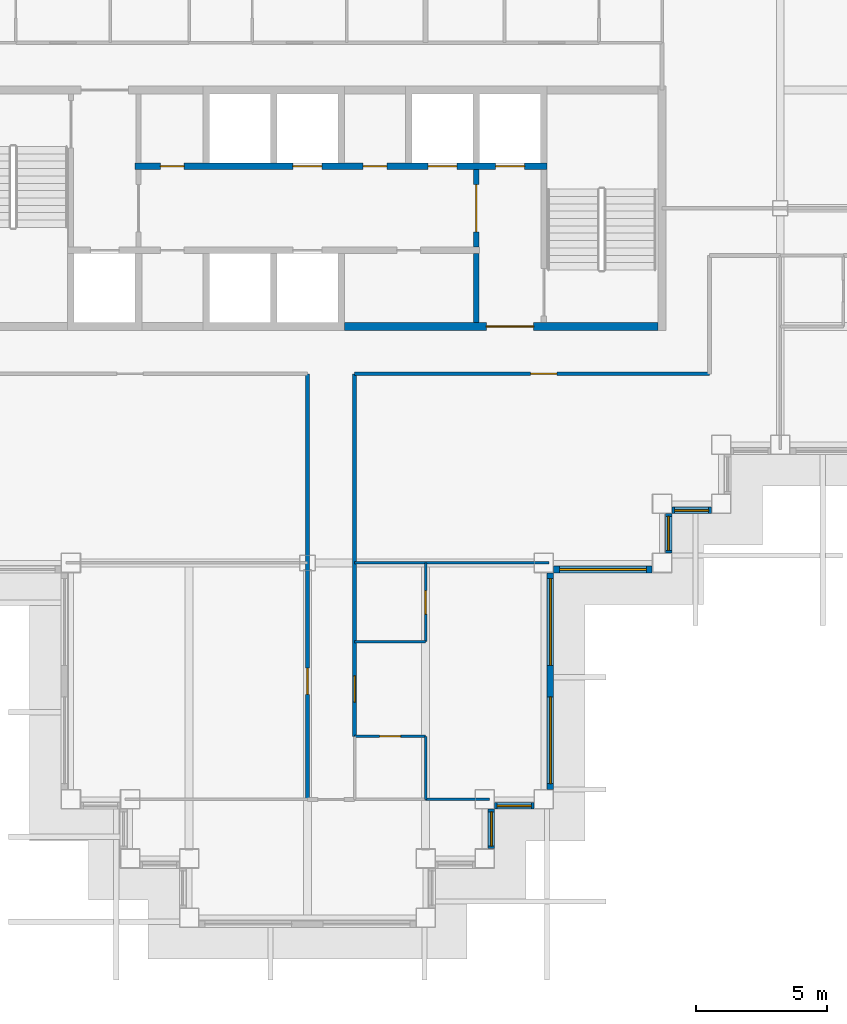
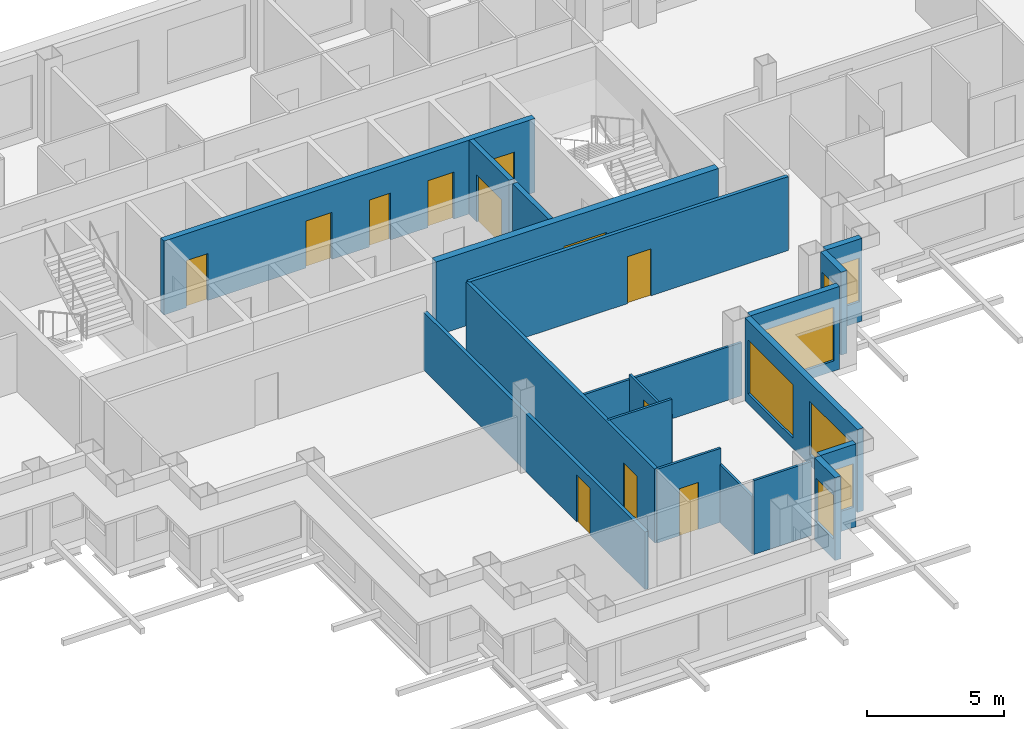
# One storey, part 5 of 14: 19 walls, 12 doors, 7 windows, 19 openings.
"""IFC4 building model written with IfcOpenShell, lengths in metres."""

from ifc_helpers import new_model, si_unit, direction, frame, frame_2d, origin, place, context, subcontext, project, spatial, rectangle, extrude, material, layer, layer_set, type_object, element, fill, save


model = new_model("IFC4")

# Units and contexts
model_context = context("Model", 3, precision=1e-05, world=origin(), true_north=direction((0.0, 1.0)))
body_context = subcontext(model_context, "Body", "Model", "MODEL_VIEW")
ifc_project = project(units=[si_unit("LENGTHUNIT", "METRE"), si_unit("AREAUNIT", "SQUARE_METRE"), si_unit("VOLUMEUNIT", "CUBIC_METRE"), si_unit("PLANEANGLEUNIT", "RADIAN"), si_unit("MASSUNIT", "GRAM", prefix="KILO")], contexts=[model_context])

# Site, building, storey
site_placement = place(None, origin())
site = spatial("IfcSite", under=ifc_project, at=site_placement, CompositionType="ELEMENT")
building_placement = place(site_placement, origin())
building = spatial("IfcBuilding", under=site, at=building_placement, Name="Caravel Reach Hotel and Residences", CompositionType="ELEMENT")
storey_placement = place(building_placement, frame((0.0, 0.0, 183.89990234375)))
storey = spatial("IfcBuildingStorey", under=building, at=storey_placement, Name="L46", CompositionType="ELEMENT", Elevation=183.89990234375)

# Wall, opening, door
ifc_material_1 = material(Name="Gypsum board on steel stud", Category="steel")
ifc_layer_1 = layer(ifc_material_1, 0.10009765625)
ifc_layer_set_1 = layer_set([ifc_layer_1], Name="Bathroom pod wall 100 mm")
wall_type_1 = type_object("IfcWallType", Name="Bathroom pod wall 100 mm", PredefinedType="PARTITIONING", material=ifc_layer_set_1)
wall_1_placement = place(storey_placement, frame((33.300048828125, 6.89990234375, 0.0), z_axis=(0.0, 0.0, 1.0), x_axis=(1.0, 0.0, 0.0)))
wall_1 = element("IfcWall", 1, at=wall_1_placement, inside=storey, type_object=wall_type_1, Name="L46 wall w084", PredefinedType="PARTITIONING", context=body_context, shape_type="SweptSolid", body=[
    extrude(rectangle(XDim=2.699951171875, YDim=0.10009765625, at=frame_2d((1.35009765625, 0.0))), origin(), (0.0, 0.0, 1.0), 3.300048828125),
])
opening_1_placement = place(wall_1_placement, frame((0.949951171875, 0.0, 0.0)))
opening_1 = element("IfcOpeningElement", 2, at=opening_1_placement, cuts=wall_1, Name="Opening D46-039", PredefinedType="OPENING", context=body_context, shape_type="SweptSolid", body=[
    extrude(rectangle(XDim=0.800048828125, YDim=2.10009765625, at=frame_2d((0.39990234375, 1.050048828125))), frame((0.0, 0.06005859375, 0.0), z_axis=(0.0, -1.0, 0.0), x_axis=(1.0, 0.0, 0.0)), (0.0, 0.0, 1.0), 0.1201171875),
])
ifc_material_2 = material(Name="Timber and steel door leaf", Category="steel")
door_type_1 = type_object("IfcDoorType", Name="Bathroom door 800 x 2100", OperationType="SINGLE_SWING_LEFT", PredefinedType="DOOR", material=ifc_material_2)
door_1_placement = place(opening_1_placement, origin())
door_1 = element("IfcDoor", 3, at=door_1_placement, inside=storey, type_object=door_type_1, Name="door D46-039", OperationType="SINGLE_SWING_RIGHT", OverallHeight=2.10009765625, OverallWidth=0.800048828125, PredefinedType="DOOR", context=body_context, shape_type="SweptSolid", body=[
    extrude(rectangle(XDim=0.800048828125, YDim=2.10009765625, at=frame_2d((0.39990234375, 1.050048828125))), frame((0.0, 0.02490234375, 0.0), z_axis=(0.0, -1.0, 0.0), x_axis=(1.0, 0.0, 0.0)), (0.0, 0.0, 1.0), 0.050048828125),
])
fill(opening_1, door_1)

# Walls
wall_2_placement = place(storey_placement, frame((36.0, 4.5, 0.0), z_axis=(0.0, 0.0, 1.0), x_axis=(0.0, 1.0, 0.0)))
element("IfcWall", 4, at=wall_2_placement, inside=storey, type_object=wall_type_1, Name="L46 wall w091", PredefinedType="PARTITIONING", context=body_context, shape_type="SweptSolid", body=[
    extrude(rectangle(XDim=2.39990234375, YDim=0.10009765625, at=frame_2d((1.199951171875, 0.0))), origin(), (0.0, 0.0, 1.0), 2.580078125),
])
ifc_material_3 = material(Name="Autoclaved aerated block wall")
ifc_layer_2 = layer(ifc_material_3, 0.199951171875)
ifc_layer_set_2 = layer_set([ifc_layer_2], Name="Compartment wall 200 mm EI 120")
wall_type_2 = type_object("IfcWallType", Name="Compartment wall 200 mm EI 120", PredefinedType="PARTITIONING", material=ifc_layer_set_2)
wall_3_placement = place(storey_placement, frame((37.928466796875, 22.64990234375, 0.0), z_axis=(0.0, 0.0, 1.0), x_axis=(0.0, 1.0, 0.0)))
element("IfcWall", 5, at=wall_3_placement, inside=storey, type_object=wall_type_2, Name="L46 store partition", PredefinedType="PARTITIONING", context=body_context, shape_type="SweptSolid", body=[
    extrude(rectangle(XDim=2.625, YDim=0.199951171875, at=frame_2d((1.3125, 0.0))), origin(), (0.0, 0.0, 1.0), 3.300048828125),
])

# Wall, opening, door
ifc_material_4 = material(Name="Concrete C60", Category="concrete")
ifc_layer_3 = layer(ifc_material_4, 0.300048828125)
ifc_layer_set_3 = layer_set([ifc_layer_3], Name="Core wall 300 mm EI 120")
wall_type_3 = type_object("IfcWallType", Name="Core wall 300 mm EI 120", PredefinedType="SHEAR", material=ifc_layer_set_3)
wall_4_placement = place(storey_placement, frame((32.91064453125, 22.5, 0.0), z_axis=(0.0, 0.0, 1.0), x_axis=(1.0, 0.0, 0.0)))
wall_4 = element("IfcWall", 6, at=wall_4_placement, inside=storey, type_object=wall_type_3, Name="L46 core wall S3", PredefinedType="SHEAR", context=body_context, shape_type="SweptSolid", body=[
    extrude(rectangle(XDim=11.939453125, YDim=0.300048828125, at=frame_2d((5.9697265625, 0.0))), origin(), (0.0, 0.0, 1.0), 3.300048828125),
])
opening_2_placement = place(wall_4_placement, frame((5.403564453125, 0.0, 0.0)))
opening_2 = element("IfcOpeningElement", 7, at=opening_2_placement, cuts=wall_4, Name="Opening D46-015", PredefinedType="OPENING", context=body_context, shape_type="SweptSolid", body=[
    extrude(rectangle(XDim=1.800048828125, YDim=2.10009765625, at=frame_2d((0.89990234375, 1.050048828125))), frame((0.0, 0.159912109375, 0.0), z_axis=(0.0, -1.0, 0.0), x_axis=(1.0, 0.0, 0.0)), (0.0, 0.0, 1.0), 0.320068359375),
])
ifc_material_5 = material(Name="Steel fire door leaf", Category="steel")
door_type_2 = type_object("IfcDoorType", Name="Fire lobby door pair 1800 x 2100 EI 90", OperationType="DOUBLE_DOOR_SINGLE_SWING", PredefinedType="DOOR", material=ifc_material_5)
door_2_placement = place(opening_2_placement, origin())
door_2 = element("IfcDoor", 8, at=door_2_placement, inside=storey, type_object=door_type_2, Name="lobby S door pair to corridor", OperationType="DOUBLE_DOOR_SINGLE_SWING", OverallHeight=2.10009765625, OverallWidth=1.800048828125, PredefinedType="DOOR", context=body_context, shape_type="SweptSolid", body=[
    extrude(rectangle(XDim=1.800048828125, YDim=2.10009765625, at=frame_2d((0.89990234375, 1.050048828125))), frame((0.0, 0.02490234375, 0.0), z_axis=(0.0, -1.0, 0.0), x_axis=(1.0, 0.0, 0.0)), (0.0, 0.0, 1.0), 0.050048828125),
])
fill(opening_2, door_2)

ifc_material_6 = material(Name="Gypsum board on steel stud, fire-rated", Category="steel")
ifc_layer_4 = layer(ifc_material_6, 0.14990234375)
ifc_layer_set_4 = layer_set([ifc_layer_4], Name="Corridor wall 150 mm EI 60")
wall_type_4 = type_object("IfcWallType", Name="Corridor wall 150 mm EI 60", PredefinedType="PARTITIONING", material=ifc_layer_set_4)
wall_5_placement = place(storey_placement, frame((33.301025390625, 20.699951171875, 0.0), z_axis=(0.0, 0.0, 1.0), x_axis=(1.0, 0.0, 0.0)))
wall_5 = element("IfcWall", 9, at=wall_5_placement, inside=storey, type_object=wall_type_4, Name="L46 wall w001", PredefinedType="PARTITIONING", context=body_context, shape_type="SweptSolid", body=[
    extrude(rectangle(XDim=13.4990234375, YDim=0.14990234375, at=frame_2d((6.74951171875, 0.0))), origin(), (0.0, 0.0, 1.0), 3.300048828125),
])
opening_3_placement = place(wall_5_placement, frame((6.697998046875, 0.0, 0.0)))
opening_3 = element("IfcOpeningElement", 10, at=opening_3_placement, cuts=wall_5, Name="Opening D46-036", PredefinedType="OPENING", context=body_context, shape_type="SweptSolid", body=[
    extrude(rectangle(XDim=1.0, YDim=2.10009765625, at=frame_2d((0.5, 1.050048828125))), frame((0.0, 0.0849609375, 0.0), z_axis=(0.0, -1.0, 0.0), x_axis=(1.0, 0.0, 0.0)), (0.0, 0.0, 1.0), 0.169921875),
])
ifc_material_7 = material(Name="Steel fire door leaf", Category="steel")
door_type_3 = type_object("IfcDoorType", Name="Fire door 1000 x 2100 EI 60", OperationType="SINGLE_SWING_LEFT", PredefinedType="DOOR", material=ifc_material_7)
door_3_placement = place(opening_3_placement, origin())
door_3 = element("IfcDoor", 11, at=door_3_placement, inside=storey, type_object=door_type_3, Name="door D46-036", OperationType="SINGLE_SWING_LEFT", OverallHeight=2.10009765625, OverallWidth=1.0, PredefinedType="DOOR", context=body_context, shape_type="SweptSolid", body=[
    extrude(rectangle(XDim=1.0, YDim=2.10009765625, at=frame_2d((0.5, 1.050048828125))), frame((0.0, 0.02490234375, 0.0), z_axis=(0.0, -1.0, 0.0), x_axis=(1.0, 0.0, 0.0)), (0.0, 0.0, 1.0), 0.050048828125),
])
fill(opening_3, door_3)

wall_6_placement = place(storey_placement, frame((31.5, 4.5, 0.0), z_axis=(0.0, 0.0, 1.0), x_axis=(0.0, 1.0, 0.0)))
wall_6 = element("IfcWall", 12, at=wall_6_placement, inside=storey, type_object=wall_type_4, Name="L46 wall w023", PredefinedType="PARTITIONING", context=body_context, shape_type="SweptSolid", body=[
    extrude(rectangle(XDim=16.199951171875, YDim=0.14990234375, at=frame_2d((8.10009765625, 0.0))), origin(), (0.0, 0.0, 1.0), 2.580078125),
])
opening_4_placement = place(wall_6_placement, frame((4.0, 0.0, 0.0)))
opening_4 = element("IfcOpeningElement", 13, at=opening_4_placement, cuts=wall_6, Name="Opening D46-037", PredefinedType="OPENING", context=body_context, shape_type="SweptSolid", body=[
    extrude(rectangle(XDim=1.0, YDim=2.10009765625, at=frame_2d((0.5, 1.050048828125))), frame((0.0, 0.0849609375, 0.0), z_axis=(0.0, -1.0, 0.0), x_axis=(1.0, 0.0, 0.0)), (0.0, 0.0, 1.0), 0.169921875),
])
door_4_placement = place(opening_4_placement, origin())
door_4 = element("IfcDoor", 14, at=door_4_placement, inside=storey, type_object=door_type_3, Name="door D46-037", OperationType="SINGLE_SWING_RIGHT", OverallHeight=2.10009765625, OverallWidth=1.0, PredefinedType="DOOR", context=body_context, shape_type="SweptSolid", body=[
    extrude(rectangle(XDim=1.0, YDim=2.10009765625, at=frame_2d((0.5, 1.050048828125))), frame((0.0, 0.02490234375, 0.0), z_axis=(0.0, -1.0, 0.0), x_axis=(1.0, 0.0, 0.0)), (0.0, 0.0, 1.0), 0.050048828125),
])
fill(opening_4, door_4)

wall_7_placement = place(storey_placement, frame((33.300048828125, 6.89990234375, 0.0), z_axis=(0.0, 0.0, 1.0), x_axis=(0.0, 1.0, 0.0)))
wall_7 = element("IfcWall", 15, at=wall_7_placement, inside=storey, type_object=wall_type_4, Name="L46 wall w025", PredefinedType="PARTITIONING", context=body_context, shape_type="SweptSolid", body=[
    extrude(rectangle(XDim=13.799072265625, YDim=0.14990234375, at=frame_2d((6.8994140625, 0.0))), origin(), (0.0, 0.0, 1.0), 3.300048828125),
])
opening_5_placement = place(wall_7_placement, frame((1.300048828125, 0.0, 0.0)))
opening_5 = element("IfcOpeningElement", 16, at=opening_5_placement, cuts=wall_7, Name="Opening D46-038", PredefinedType="OPENING", context=body_context, shape_type="SweptSolid", body=[
    extrude(rectangle(XDim=1.0, YDim=2.199951171875, at=frame_2d((0.5, 1.10009765625))), frame((0.0, 0.0849609375, 0.0), z_axis=(0.0, -1.0, 0.0), x_axis=(1.0, 0.0, 0.0)), (0.0, 0.0, 1.0), 0.169921875),
])
ifc_material_8 = material(Name="Steel fire door leaf", Category="steel")
door_type_4 = type_object("IfcDoorType", Name="Flat entrance door 1000 x 2200 EI 60", OperationType="SINGLE_SWING_LEFT", PredefinedType="DOOR", material=ifc_material_8)
door_5_placement = place(opening_5_placement, origin())
door_5 = element("IfcDoor", 17, at=door_5_placement, inside=storey, type_object=door_type_4, Name="door D46-038", OperationType="SINGLE_SWING_LEFT", OverallHeight=2.199951171875, OverallWidth=1.0, PredefinedType="DOOR", context=body_context, shape_type="SweptSolid", body=[
    extrude(rectangle(XDim=1.0, YDim=2.199951171875, at=frame_2d((0.5, 1.10009765625))), frame((0.0, 0.02490234375, 0.0), z_axis=(0.0, -1.0, 0.0), x_axis=(1.0, 0.0, 0.0)), (0.0, 0.0, 1.0), 0.050048828125),
])
fill(opening_5, door_5)

# Wall, opening, window
ifc_material_9 = material(Name="Insulated rainscreen wall, aluminium cladding", Category="aluminium")
ifc_layer_5 = layer(ifc_material_9, 0.25)
ifc_layer_set_5 = layer_set([ifc_layer_5], Name="EW1 Tower rainscreen wall")
wall_type_5 = type_object("IfcWallType", Name="EW1 Tower rainscreen wall", PredefinedType="SOLIDWALL", material=ifc_layer_set_5)
wall_8_placement = place(storey_placement, frame((38.5, 2.625, 0.0), z_axis=(0.0, 0.0, 1.0), x_axis=(0.0, 1.0, 0.0)))
wall_8 = element("IfcWall", 18, at=wall_8_placement, inside=storey, type_object=wall_type_5, Name="External wall L46 E8.1", PredefinedType="SOLIDWALL", context=body_context, shape_type="SweptSolid", body=[
    extrude(rectangle(XDim=1.5, YDim=0.25, at=frame_2d((0.75, 0.0))), origin(), (0.0, 0.0, 1.0), 3.7001953125),
])
opening_6_placement = place(wall_8_placement, frame((0.10009765625, 0.0, 0.89990234375)))
opening_6 = element("IfcOpeningElement", 19, at=opening_6_placement, cuts=wall_8, Name="Opening WN17", PredefinedType="OPENING", context=body_context, shape_type="SweptSolid", body=[
    extrude(rectangle(XDim=1.300048828125, YDim=1.949951171875, at=frame_2d((0.64990234375, 0.97509765625))), frame((0.0, 0.135009765625, 0.0), z_axis=(0.0, -1.0, 0.0), x_axis=(1.0, 0.0, 0.0)), (0.0, 0.0, 1.0), 0.27001953125),
])
ifc_material_10 = material(Name="Dark low-e glazing in black aluminium frame", Category="aluminium")
window_type_1 = type_object("IfcWindowType", Name="Residence bedroom window 1300 x 1950", PartitioningType="SINGLE_PANEL", PredefinedType="WINDOW", material=ifc_material_10)
window_1_placement = place(opening_6_placement, origin())
window_1 = element("IfcWindow", 20, at=window_1_placement, inside=storey, type_object=window_type_1, Name="Window L46 E8.1.1", OverallHeight=1.949951171875, OverallWidth=1.300048828125, PartitioningType="SINGLE_PANEL", PredefinedType="WINDOW", context=body_context, shape_type="SweptSolid", body=[
    extrude(rectangle(XDim=1.300048828125, YDim=1.949951171875, at=frame_2d((0.64990234375, 0.97509765625))), frame((0.0, 0.030029296875, 0.0), z_axis=(0.0, -1.0, 0.0), x_axis=(1.0, 0.0, 0.0)), (0.0, 0.0, 1.0), 0.06005859375),
])
fill(opening_6, window_1)

wall_9_placement = place(storey_placement, frame((38.625, 4.25, 0.0), z_axis=(0.0, 0.0, 1.0), x_axis=(1.0, 0.0, 0.0)))
wall_9 = element("IfcWall", 21, at=wall_9_placement, inside=storey, type_object=wall_type_5, Name="External wall L46 S9.1", PredefinedType="SOLIDWALL", context=body_context, shape_type="SweptSolid", body=[
    extrude(rectangle(XDim=1.5, YDim=0.25, at=frame_2d((0.75, 0.0))), origin(), (0.0, 0.0, 1.0), 3.7001953125),
])
opening_7_placement = place(wall_9_placement, frame((0.10009765625, 0.0, 0.89990234375)))
opening_7 = element("IfcOpeningElement", 22, at=opening_7_placement, cuts=wall_9, Name="Opening WN17", PredefinedType="OPENING", context=body_context, shape_type="SweptSolid", body=[
    extrude(rectangle(XDim=1.300048828125, YDim=1.949951171875, at=frame_2d((0.64990234375, 0.97509765625))), frame((0.0, 0.135009765625, 0.0), z_axis=(0.0, -1.0, 0.0), x_axis=(1.0, 0.0, 0.0)), (0.0, 0.0, 1.0), 0.27001953125),
])
window_2_placement = place(opening_7_placement, origin())
window_2 = element("IfcWindow", 23, at=window_2_placement, inside=storey, type_object=window_type_1, Name="Window L46 S9.1.1", OverallHeight=1.949951171875, OverallWidth=1.300048828125, PartitioningType="SINGLE_PANEL", PredefinedType="WINDOW", context=body_context, shape_type="SweptSolid", body=[
    extrude(rectangle(XDim=1.300048828125, YDim=1.949951171875, at=frame_2d((0.64990234375, 0.97509765625))), frame((0.0, 0.030029296875, 0.0), z_axis=(0.0, -1.0, 0.0), x_axis=(1.0, 0.0, 0.0)), (0.0, 0.0, 1.0), 0.06005859375),
])
fill(opening_7, window_2)

# Wall, openings, windows
wall_10_placement = place(storey_placement, frame((40.75, 4.875, 0.0), z_axis=(0.0, 0.0, 1.0), x_axis=(0.0, 1.0, 0.0)))
wall_10 = element("IfcWall", 24, at=wall_10_placement, inside=storey, type_object=wall_type_5, Name="External wall L46 E10.1", PredefinedType="SOLIDWALL", context=body_context, shape_type="SweptSolid", body=[
    extrude(rectangle(XDim=8.25, YDim=0.25, at=frame_2d((4.125, 0.0))), origin(), (0.0, 0.0, 1.0), 3.7001953125),
])
opening_8_placement = place(wall_10_placement, frame((0.22509765625, 0.0, 0.449951171875)))
opening_8 = element("IfcOpeningElement", 25, at=opening_8_placement, cuts=wall_10, Name="Opening WN18", PredefinedType="OPENING", context=body_context, shape_type="SweptSolid", body=[
    extrude(rectangle(XDim=3.300048828125, YDim=2.39990234375, at=frame_2d((1.64990234375, 1.199951171875))), frame((0.0, 0.135009765625, 0.0), z_axis=(0.0, -1.0, 0.0), x_axis=(1.0, 0.0, 0.0)), (0.0, 0.0, 1.0), 0.27001953125),
])
opening_9_placement = place(wall_10_placement, frame((4.72509765625, 0.0, 0.449951171875)))
opening_9 = element("IfcOpeningElement", 26, at=opening_9_placement, cuts=wall_10, Name="Opening WN18", PredefinedType="OPENING", context=body_context, shape_type="SweptSolid", body=[
    extrude(rectangle(XDim=3.300048828125, YDim=2.39990234375, at=frame_2d((1.64990234375, 1.199951171875))), frame((0.0, 0.135009765625, 0.0), z_axis=(0.0, -1.0, 0.0), x_axis=(1.0, 0.0, 0.0)), (0.0, 0.0, 1.0), 0.27001953125),
])
ifc_material_11 = material(Name="Dark low-e glazing in black aluminium frame", Category="aluminium")
window_type_2 = type_object("IfcWindowType", Name="Residence living window 3300 x 2400", PartitioningType="SINGLE_PANEL", PredefinedType="WINDOW", material=ifc_material_11)
window_3_placement = place(opening_8_placement, origin())
window_3 = element("IfcWindow", 27, at=window_3_placement, inside=storey, type_object=window_type_2, Name="Window L46 E10.1.1", OverallHeight=2.39990234375, OverallWidth=3.300048828125, PartitioningType="SINGLE_PANEL", PredefinedType="WINDOW", context=body_context, shape_type="SweptSolid", body=[
    extrude(rectangle(XDim=3.300048828125, YDim=2.39990234375, at=frame_2d((1.64990234375, 1.199951171875))), frame((0.0, 0.030029296875, 0.0), z_axis=(0.0, -1.0, 0.0), x_axis=(1.0, 0.0, 0.0)), (0.0, 0.0, 1.0), 0.06005859375),
])
fill(opening_8, window_3)
window_4_placement = place(opening_9_placement, origin())
window_4 = element("IfcWindow", 28, at=window_4_placement, inside=storey, type_object=window_type_2, Name="Window L46 E10.1.2", OverallHeight=2.39990234375, OverallWidth=3.300048828125, PartitioningType="SINGLE_PANEL", PredefinedType="WINDOW", context=body_context, shape_type="SweptSolid", body=[
    extrude(rectangle(XDim=3.300048828125, YDim=2.39990234375, at=frame_2d((1.64990234375, 1.199951171875))), frame((0.0, 0.030029296875, 0.0), z_axis=(0.0, -1.0, 0.0), x_axis=(1.0, 0.0, 0.0)), (0.0, 0.0, 1.0), 0.06005859375),
])
fill(opening_9, window_4)

# Wall, opening, window
wall_11_placement = place(storey_placement, frame((40.875, 13.25, 0.0), z_axis=(0.0, 0.0, 1.0), x_axis=(1.0, 0.0, 0.0)))
wall_11 = element("IfcWall", 29, at=wall_11_placement, inside=storey, type_object=wall_type_5, Name="External wall L46 S11.1", PredefinedType="SOLIDWALL", context=body_context, shape_type="SweptSolid", body=[
    extrude(rectangle(XDim=3.75, YDim=0.25, at=frame_2d((1.875, 0.0))), origin(), (0.0, 0.0, 1.0), 3.7001953125),
])
opening_10_placement = place(wall_11_placement, frame((0.22509765625, 0.0, 0.449951171875)))
opening_10 = element("IfcOpeningElement", 30, at=opening_10_placement, cuts=wall_11, Name="Opening WN18", PredefinedType="OPENING", context=body_context, shape_type="SweptSolid", body=[
    extrude(rectangle(XDim=3.300048828125, YDim=2.39990234375, at=frame_2d((1.64990234375, 1.199951171875))), frame((0.0, 0.135009765625, 0.0), z_axis=(0.0, -1.0, 0.0), x_axis=(1.0, 0.0, 0.0)), (0.0, 0.0, 1.0), 0.27001953125),
])
window_5_placement = place(opening_10_placement, origin())
window_5 = element("IfcWindow", 31, at=window_5_placement, inside=storey, type_object=window_type_2, Name="Window L46 S11.1.1", OverallHeight=2.39990234375, OverallWidth=3.300048828125, PartitioningType="SINGLE_PANEL", PredefinedType="WINDOW", context=body_context, shape_type="SweptSolid", body=[
    extrude(rectangle(XDim=3.300048828125, YDim=2.39990234375, at=frame_2d((1.64990234375, 1.199951171875))), frame((0.0, 0.030029296875, 0.0), z_axis=(0.0, -1.0, 0.0), x_axis=(1.0, 0.0, 0.0)), (0.0, 0.0, 1.0), 0.06005859375),
])
fill(opening_10, window_5)

wall_12_placement = place(storey_placement, frame((45.25, 13.875, 0.0), z_axis=(0.0, 0.0, 1.0), x_axis=(0.0, 1.0, 0.0)))
wall_12 = element("IfcWall", 32, at=wall_12_placement, inside=storey, type_object=wall_type_5, Name="External wall L46 E12.1", PredefinedType="SOLIDWALL", context=body_context, shape_type="SweptSolid", body=[
    extrude(rectangle(XDim=1.5, YDim=0.25, at=frame_2d((0.75, 0.0))), origin(), (0.0, 0.0, 1.0), 3.7001953125),
])
opening_11_placement = place(wall_12_placement, frame((0.10009765625, 0.0, 0.89990234375)))
opening_11 = element("IfcOpeningElement", 33, at=opening_11_placement, cuts=wall_12, Name="Opening WN17", PredefinedType="OPENING", context=body_context, shape_type="SweptSolid", body=[
    extrude(rectangle(XDim=1.300048828125, YDim=1.949951171875, at=frame_2d((0.64990234375, 0.97509765625))), frame((0.0, 0.135009765625, 0.0), z_axis=(0.0, -1.0, 0.0), x_axis=(1.0, 0.0, 0.0)), (0.0, 0.0, 1.0), 0.27001953125),
])
window_6_placement = place(opening_11_placement, origin())
window_6 = element("IfcWindow", 34, at=window_6_placement, inside=storey, type_object=window_type_1, Name="Window L46 E12.1.1", OverallHeight=1.949951171875, OverallWidth=1.300048828125, PartitioningType="SINGLE_PANEL", PredefinedType="WINDOW", context=body_context, shape_type="SweptSolid", body=[
    extrude(rectangle(XDim=1.300048828125, YDim=1.949951171875, at=frame_2d((0.64990234375, 0.97509765625))), frame((0.0, 0.030029296875, 0.0), z_axis=(0.0, -1.0, 0.0), x_axis=(1.0, 0.0, 0.0)), (0.0, 0.0, 1.0), 0.06005859375),
])
fill(opening_11, window_6)

wall_13_placement = place(storey_placement, frame((45.375, 15.5, 0.0), z_axis=(0.0, 0.0, 1.0), x_axis=(1.0, 0.0, 0.0)))
wall_13 = element("IfcWall", 35, at=wall_13_placement, inside=storey, type_object=wall_type_5, Name="External wall L46 S13.1", PredefinedType="SOLIDWALL", context=body_context, shape_type="SweptSolid", body=[
    extrude(rectangle(XDim=1.5, YDim=0.25, at=frame_2d((0.75, 0.0))), origin(), (0.0, 0.0, 1.0), 3.7001953125),
])
opening_12_placement = place(wall_13_placement, frame((0.10009765625, 0.0, 0.89990234375)))
opening_12 = element("IfcOpeningElement", 36, at=opening_12_placement, cuts=wall_13, Name="Opening WN17", PredefinedType="OPENING", context=body_context, shape_type="SweptSolid", body=[
    extrude(rectangle(XDim=1.300048828125, YDim=1.949951171875, at=frame_2d((0.64990234375, 0.97509765625))), frame((0.0, 0.135009765625, 0.0), z_axis=(0.0, -1.0, 0.0), x_axis=(1.0, 0.0, 0.0)), (0.0, 0.0, 1.0), 0.27001953125),
])
window_7_placement = place(opening_12_placement, origin())
window_7 = element("IfcWindow", 37, at=window_7_placement, inside=storey, type_object=window_type_1, Name="Window L46 S13.1.1", OverallHeight=1.949951171875, OverallWidth=1.300048828125, PartitioningType="SINGLE_PANEL", PredefinedType="WINDOW", context=body_context, shape_type="SweptSolid", body=[
    extrude(rectangle(XDim=1.300048828125, YDim=1.949951171875, at=frame_2d((0.64990234375, 0.97509765625))), frame((0.0, 0.030029296875, 0.0), z_axis=(0.0, -1.0, 0.0), x_axis=(1.0, 0.0, 0.0)), (0.0, 0.0, 1.0), 0.06005859375),
])
fill(opening_12, window_7)

# Wall, opening, door
ifc_material_12 = material(Name="Autoclaved aerated block wall")
ifc_layer_6 = layer(ifc_material_12, 0.199951171875)
ifc_layer_set_6 = layer_set([ifc_layer_6], Name="Fire lobby wall 200 mm EI 120")
wall_type_6 = type_object("IfcWallType", Name="Fire lobby wall 200 mm EI 120", PredefinedType="PARTITIONING", material=ifc_layer_set_6)
wall_14_placement = place(storey_placement, frame((37.928466796875, 25.52490234375, 0.0), z_axis=(0.0, 0.0, 1.0), x_axis=(0.0, 1.0, 0.0)))
wall_14 = element("IfcWall", 38, at=wall_14_placement, inside=storey, type_object=wall_type_6, Name="L46 lobby E wall", PredefinedType="PARTITIONING", context=body_context, shape_type="SweptSolid", body=[
    extrude(rectangle(XDim=2.9501953125, YDim=0.199951171875, at=frame_2d((1.47509765625, 0.0))), origin(), (0.0, 0.0, 1.0), 3.300048828125),
])
opening_13_placement = place(wall_14_placement, frame((0.574951171875, 0.0, 0.0)))
opening_13 = element("IfcOpeningElement", 39, at=opening_13_placement, cuts=wall_14, Name="Opening D46-013", PredefinedType="OPENING", context=body_context, shape_type="SweptSolid", body=[
    extrude(rectangle(XDim=1.800048828125, YDim=2.10009765625, at=frame_2d((0.89990234375, 1.050048828125))), frame((0.0, 0.10986328125, 0.0), z_axis=(0.0, -1.0, 0.0), x_axis=(1.0, 0.0, 0.0)), (0.0, 0.0, 1.0), 0.219970703125),
])
door_6_placement = place(opening_13_placement, origin())
door_6 = element("IfcDoor", 40, at=door_6_placement, inside=storey, type_object=door_type_2, Name="lobby E door pair", OperationType="DOUBLE_DOOR_SINGLE_SWING", OverallHeight=2.10009765625, OverallWidth=1.800048828125, PredefinedType="DOOR", context=body_context, shape_type="SweptSolid", body=[
    extrude(rectangle(XDim=1.800048828125, YDim=2.10009765625, at=frame_2d((0.89990234375, 1.050048828125))), frame((0.0, 0.02490234375, 0.0), z_axis=(0.0, -1.0, 0.0), x_axis=(1.0, 0.0, 0.0)), (0.0, 0.0, 1.0), 0.050048828125),
])
fill(opening_13, door_6)

# Walls
ifc_material_13 = material(Name="Gypsum board on steel stud", Category="steel")
ifc_layer_7 = layer(ifc_material_13, 0.10009765625)
ifc_layer_set_7 = layer_set([ifc_layer_7], Name="Partition 100 mm")
wall_type_7 = type_object("IfcWallType", Name="Partition 100 mm", PredefinedType="PARTITIONING", material=ifc_layer_set_7)
wall_15_placement = place(storey_placement, frame((33.300048828125, 10.5, 0.0), z_axis=(0.0, 0.0, 1.0), x_axis=(1.0, 0.0, 0.0)))
element("IfcWall", 41, at=wall_15_placement, inside=storey, type_object=wall_type_7, Name="L46 wall w032", PredefinedType="PARTITIONING", context=body_context, shape_type="SweptSolid", body=[
    extrude(rectangle(XDim=2.699951171875, YDim=0.10009765625, at=frame_2d((1.35009765625, 0.0))), origin(), (0.0, 0.0, 1.0), 3.300048828125),
])
wall_16_placement = place(storey_placement, frame((33.301025390625, 13.5, 0.0), z_axis=(0.0, 0.0, 1.0), x_axis=(1.0, 0.0, 0.0)))
element("IfcWall", 42, at=wall_16_placement, inside=storey, type_object=wall_type_7, Name="L46 wall w034", PredefinedType="PARTITIONING", context=body_context, shape_type="SweptSolid", body=[
    extrude(rectangle(XDim=7.388916015625, YDim=0.10009765625, at=frame_2d((3.6943359375, 0.0))), origin(), (0.0, 0.0, 1.0), 2.380126953125),
])
wall_17_placement = place(storey_placement, frame((36.0, 4.5, 0.0), z_axis=(0.0, 0.0, 1.0), x_axis=(1.0, 0.0, 0.0)))
element("IfcWall", 43, at=wall_17_placement, inside=storey, type_object=wall_type_7, Name="L46 wall w048", PredefinedType="PARTITIONING", context=body_context, shape_type="SweptSolid", body=[
    extrude(rectangle(XDim=2.43994140625, YDim=0.10009765625, at=frame_2d((1.219970703125, 0.0))), origin(), (0.0, 0.0, 1.0), 3.300048828125),
])

# Wall, opening, door
wall_18_placement = place(storey_placement, frame((36.0, 10.5, 0.0), z_axis=(0.0, 0.0, 1.0), x_axis=(0.0, 1.0, 0.0)))
wall_18 = element("IfcWall", 44, at=wall_18_placement, inside=storey, type_object=wall_type_7, Name="L46 wall w058", PredefinedType="PARTITIONING", context=body_context, shape_type="SweptSolid", body=[
    extrude(rectangle(XDim=3.0, YDim=0.10009765625, at=frame_2d((1.5, 0.0))), origin(), (0.0, 0.0, 1.0), 2.580078125),
])
opening_14_placement = place(wall_18_placement, frame((1.050048828125, 0.0, 0.0)))
opening_14 = element("IfcOpeningElement", 45, at=opening_14_placement, cuts=wall_18, Name="Opening D46-040", PredefinedType="OPENING", context=body_context, shape_type="SweptSolid", body=[
    extrude(rectangle(XDim=0.89990234375, YDim=2.10009765625, at=frame_2d((0.449951171875, 1.050048828125))), frame((0.0, 0.06005859375, 0.0), z_axis=(0.0, -1.0, 0.0), x_axis=(1.0, 0.0, 0.0)), (0.0, 0.0, 1.0), 0.1201171875),
])
ifc_material_14 = material(Name="Timber and steel door leaf", Category="steel")
door_type_5 = type_object("IfcDoorType", Name="Door 900 x 2100 timber", OperationType="SINGLE_SWING_LEFT", PredefinedType="DOOR", material=ifc_material_14)
door_7_placement = place(opening_14_placement, origin())
door_7 = element("IfcDoor", 46, at=door_7_placement, inside=storey, type_object=door_type_5, Name="door D46-040", OperationType="SINGLE_SWING_RIGHT", OverallHeight=2.10009765625, OverallWidth=0.89990234375, PredefinedType="DOOR", context=body_context, shape_type="SweptSolid", body=[
    extrude(rectangle(XDim=0.89990234375, YDim=2.10009765625, at=frame_2d((0.449951171875, 1.050048828125))), frame((0.0, 0.02490234375, 0.0), z_axis=(0.0, -1.0, 0.0), x_axis=(1.0, 0.0, 0.0)), (0.0, 0.0, 1.0), 0.050048828125),
])
fill(opening_14, door_7)

# Wall, openings, doors
ifc_material_15 = material(Name="Concrete C60", Category="concrete")
ifc_layer_8 = layer(ifc_material_15, 0.25)
ifc_layer_set_8 = layer_set([ifc_layer_8], Name="Shaft wall 250 mm EI 120")
wall_type_8 = type_object("IfcWallType", Name="Shaft wall 250 mm EI 120", PredefinedType="SHEAR", material=ifc_layer_set_8)
wall_19_placement = place(storey_placement, frame((24.946533203125, 28.60009765625, 0.0), z_axis=(0.0, 0.0, 1.0), x_axis=(1.0, 0.0, 0.0)))
wall_19 = element("IfcWall", 47, at=wall_19_placement, inside=storey, type_object=wall_type_8, Name="L46 lobby wall N1", PredefinedType="SHEAR", context=body_context, shape_type="SweptSolid", body=[
    extrude(rectangle(XDim=15.678466796875, YDim=0.25, at=frame_2d((7.83935546875, 0.0))), origin(), (0.0, 0.0, 1.0), 3.300048828125),
])
opening_15_placement = place(wall_19_placement, frame((6.003662109375, 0.0, 0.0)))
opening_15 = element("IfcOpeningElement", 48, at=opening_15_placement, cuts=wall_19, Name="Opening D46-002", PredefinedType="OPENING", context=body_context, shape_type="SweptSolid", body=[
    extrude(rectangle(XDim=1.10009765625, YDim=2.10009765625, at=frame_2d((0.550048828125, 1.050048828125))), frame((0.0, 0.135009765625, 0.0), z_axis=(0.0, -1.0, 0.0), x_axis=(1.0, 0.0, 0.0)), (0.0, 0.0, 1.0), 0.27001953125),
])
opening_16_placement = place(wall_19_placement, frame((11.146484375, 0.0, 0.0)))
opening_16 = element("IfcOpeningElement", 49, at=opening_16_placement, cuts=wall_19, Name="Opening D46-003", PredefinedType="OPENING", context=body_context, shape_type="SweptSolid", body=[
    extrude(rectangle(XDim=1.10009765625, YDim=2.10009765625, at=frame_2d((0.550048828125, 1.050048828125))), frame((0.0, 0.135009765625, 0.0), z_axis=(0.0, -1.0, 0.0), x_axis=(1.0, 0.0, 0.0)), (0.0, 0.0, 1.0), 0.27001953125),
])
opening_17_placement = place(wall_19_placement, frame((13.718017578125, 0.0, 0.0)))
opening_17 = element("IfcOpeningElement", 50, at=opening_17_placement, cuts=wall_19, Name="Opening D46-005", PredefinedType="OPENING", context=body_context, shape_type="SweptSolid", body=[
    extrude(rectangle(XDim=1.10009765625, YDim=2.10009765625, at=frame_2d((0.550048828125, 1.050048828125))), frame((0.0, 0.135009765625, 0.0), z_axis=(0.0, -1.0, 0.0), x_axis=(1.0, 0.0, 0.0)), (0.0, 0.0, 1.0), 0.27001953125),
])
opening_18_placement = place(wall_19_placement, frame((0.960693359375, 0.0, 0.0)))
opening_18 = element("IfcOpeningElement", 51, at=opening_18_placement, cuts=wall_19, Name="Opening D46-008", PredefinedType="OPENING", context=body_context, shape_type="SweptSolid", body=[
    extrude(rectangle(XDim=0.89990234375, YDim=2.10009765625, at=frame_2d((0.449951171875, 1.050048828125))), frame((0.0, 0.135009765625, 0.0), z_axis=(0.0, -1.0, 0.0), x_axis=(1.0, 0.0, 0.0)), (0.0, 0.0, 1.0), 0.27001953125),
])
opening_19_placement = place(wall_19_placement, frame((8.675048828125, 0.0, 0.0)))
opening_19 = element("IfcOpeningElement", 52, at=opening_19_placement, cuts=wall_19, Name="Opening D46-009", PredefinedType="OPENING", context=body_context, shape_type="SweptSolid", body=[
    extrude(rectangle(XDim=0.89990234375, YDim=2.10009765625, at=frame_2d((0.449951171875, 1.050048828125))), frame((0.0, 0.135009765625, 0.0), z_axis=(0.0, -1.0, 0.0), x_axis=(1.0, 0.0, 0.0)), (0.0, 0.0, 1.0), 0.27001953125),
])
ifc_material_16 = material(Name="Stainless steel landing door", Category="steel")
door_type_6 = type_object("IfcDoorType", Name="Landing door LD 1100 x 2100 sliding", OperationType="DOUBLE_DOOR_SLIDING", PredefinedType="DOOR", material=ifc_material_16)
door_8_placement = place(opening_15_placement, origin())
door_8 = element("IfcDoor", 53, at=door_8_placement, inside=storey, type_object=door_type_6, Name="MP2 landing door", OperationType="DOUBLE_DOOR_SLIDING", OverallHeight=2.10009765625, OverallWidth=1.10009765625, PredefinedType="DOOR", context=body_context, shape_type="SweptSolid", body=[
    extrude(rectangle(XDim=1.10009765625, YDim=2.10009765625, at=frame_2d((0.550048828125, 1.050048828125))), frame((0.0, 0.02490234375, 0.0), z_axis=(0.0, -1.0, 0.0), x_axis=(1.0, 0.0, 0.0)), (0.0, 0.0, 1.0), 0.050048828125),
])
fill(opening_15, door_8)
door_9_placement = place(opening_16_placement, origin())
door_9 = element("IfcDoor", 54, at=door_9_placement, inside=storey, type_object=door_type_6, Name="MP3 landing door", OperationType="DOUBLE_DOOR_SLIDING", OverallHeight=2.10009765625, OverallWidth=1.10009765625, PredefinedType="DOOR", context=body_context, shape_type="SweptSolid", body=[
    extrude(rectangle(XDim=1.10009765625, YDim=2.10009765625, at=frame_2d((0.550048828125, 1.050048828125))), frame((0.0, 0.02490234375, 0.0), z_axis=(0.0, -1.0, 0.0), x_axis=(1.0, 0.0, 0.0)), (0.0, 0.0, 1.0), 0.050048828125),
])
fill(opening_16, door_9)
door_10_placement = place(opening_17_placement, origin())
door_10 = element("IfcDoor", 55, at=door_10_placement, inside=storey, type_object=door_type_6, Name="FL2 landing door", OperationType="DOUBLE_DOOR_SLIDING", OverallHeight=2.10009765625, OverallWidth=1.10009765625, PredefinedType="DOOR", context=body_context, shape_type="SweptSolid", body=[
    extrude(rectangle(XDim=1.10009765625, YDim=2.10009765625, at=frame_2d((0.550048828125, 1.050048828125))), frame((0.0, 0.02490234375, 0.0), z_axis=(0.0, -1.0, 0.0), x_axis=(1.0, 0.0, 0.0)), (0.0, 0.0, 1.0), 0.050048828125),
])
fill(opening_17, door_10)
ifc_material_17 = material(Name="Steel fire door leaf", Category="steel")
door_type_7 = type_object("IfcDoorType", Name="Riser door 900 x 2100 EI 60", OperationType="SINGLE_SWING_LEFT", PredefinedType="DOOR", material=ifc_material_17)
door_11_placement = place(opening_18_placement, origin())
door_11 = element("IfcDoor", 56, at=door_11_placement, inside=storey, type_object=door_type_7, Name="Residents' store door", OperationType="SINGLE_SWING_LEFT", OverallHeight=2.10009765625, OverallWidth=0.89990234375, PredefinedType="DOOR", context=body_context, shape_type="SweptSolid", body=[
    extrude(rectangle(XDim=0.89990234375, YDim=2.10009765625, at=frame_2d((0.449951171875, 1.050048828125))), frame((0.0, 0.02490234375, 0.0), z_axis=(0.0, -1.0, 0.0), x_axis=(1.0, 0.0, 0.0)), (0.0, 0.0, 1.0), 0.050048828125),
])
fill(opening_18, door_11)
door_12_placement = place(opening_19_placement, origin())
door_12 = element("IfcDoor", 57, at=door_12_placement, inside=storey, type_object=door_type_7, Name="Linen store door", OperationType="SINGLE_SWING_LEFT", OverallHeight=2.10009765625, OverallWidth=0.89990234375, PredefinedType="DOOR", context=body_context, shape_type="SweptSolid", body=[
    extrude(rectangle(XDim=0.89990234375, YDim=2.10009765625, at=frame_2d((0.449951171875, 1.050048828125))), frame((0.0, 0.02490234375, 0.0), z_axis=(0.0, -1.0, 0.0), x_axis=(1.0, 0.0, 0.0)), (0.0, 0.0, 1.0), 0.050048828125),
])
fill(opening_19, door_12)

save(model, "model.ifc")
